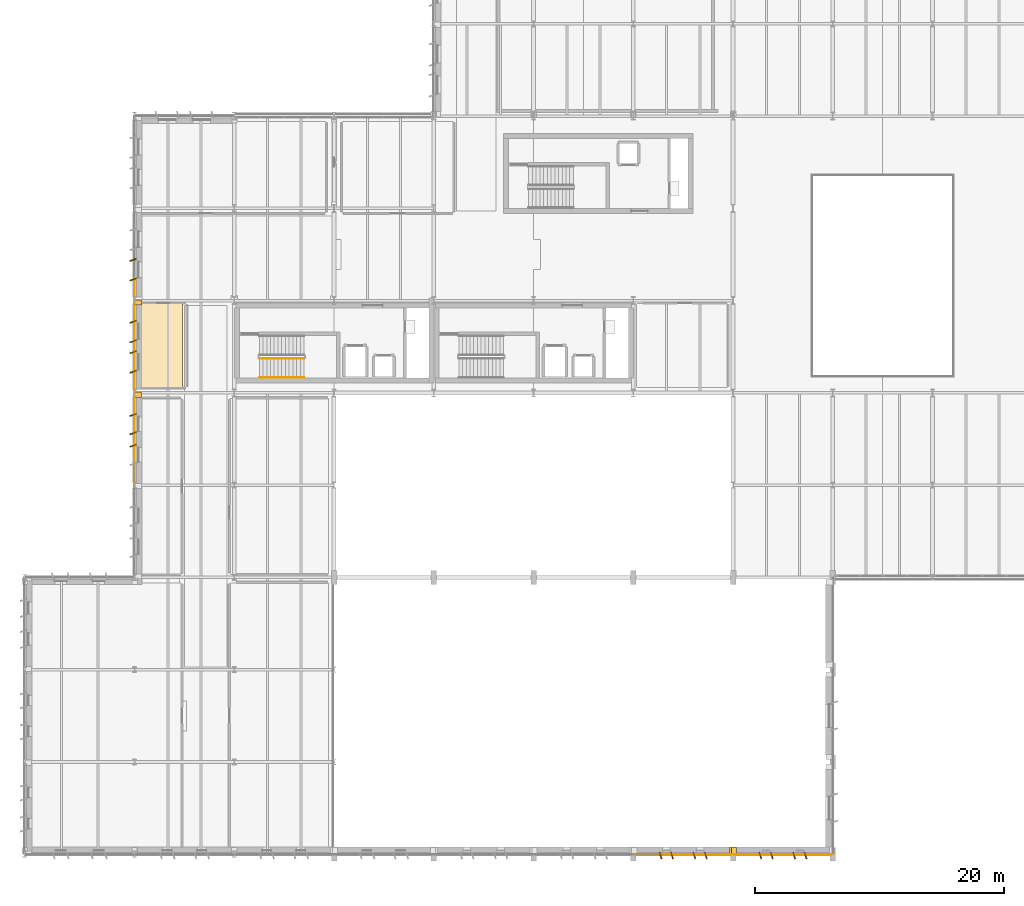
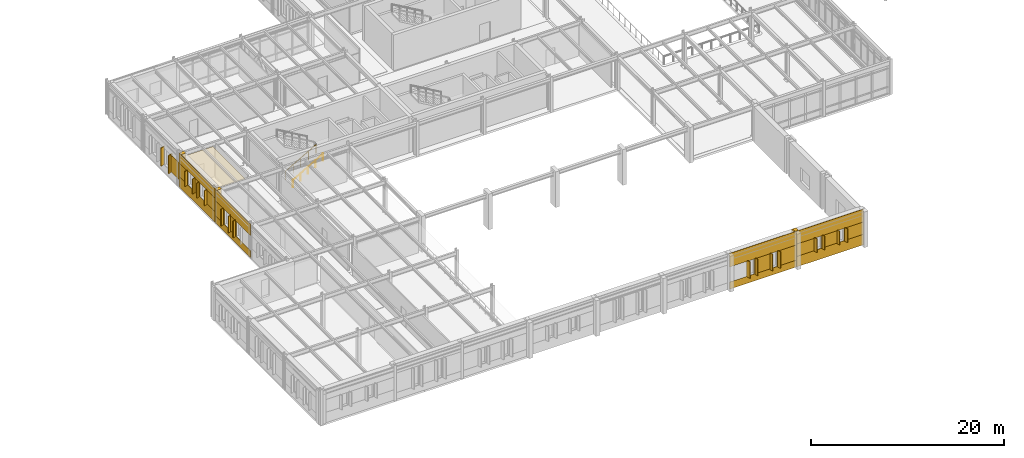
# One storey, part 56 of 75: 41 coverings, 2 railings.
"""IFC4 building model written with IfcOpenShell, lengths in metres."""

import ifcopenshell
import ifcopenshell.guid

model = None  # the IFC model being written
_history = None  # IfcOwnerHistory: only IFC2X3 demands one
_inside = {}  # id of a spatial element -> (the spatial element, [elements in it])
_under = {}  # id of a project, library or spatial element -> (it, [spatial elements below it])
_declared = {}  # id of a project -> (the project, [libraries it declares])
_typed = {}  # id of a type object -> (the type object, [elements of that type])
_made_of = {}  # id of a material, layer set ... -> (it, [elements and type objects made of it])


def new_model(schema):
    """Start an empty IFC model of exactly this schema.

    Asked for "IFC4X3", IfcOpenShell would pick the latest addendum, in which some entities
    have other attributes; the version numbers below select the first issue.
    IFC2X3 requires an IfcOwnerHistory on every rooted entity: one is made here for all.
    """
    global model, _history
    if schema == "IFC4X3":
        model = ifcopenshell.file(schema_version=(4, 3, 0, 0))
    else:
        model = ifcopenshell.file(schema=schema)
    _inside.clear()
    _under.clear()
    _declared.clear()
    _typed.clear()
    _made_of.clear()
    _history = None
    if model.schema == "IFC2X3":
        org = make("IfcOrganization", Name="unknown")
        user = make(
            "IfcPersonAndOrganization",
            ThePerson=make("IfcPerson", FamilyName="unknown"),
            TheOrganization=org,
        )
        app = make(
            "IfcApplication",
            ApplicationDeveloper=org,
            Version="unknown",
            ApplicationFullName="unknown",
            ApplicationIdentifier="unknown",
        )
        _history = make(
            "IfcOwnerHistory",
            OwningUser=user,
            OwningApplication=app,
            ChangeAction="ADDED",
            CreationDate=0,
        )
    return model


def make(cls, **values):
    """One entity of the class cls with the attributes given. An attribute that is None is left unset."""
    return model.create_entity(
        cls, **{name: value for name, value in values.items() if value is not None}
    )


def rooted(cls, **values):
    """An entity with a GlobalId (a new one), such as an element, a storey or a relation."""
    return make(cls, GlobalId=ifcopenshell.guid.new(), OwnerHistory=_history, **values)


def si_unit(unit_type, name, prefix=None):
    """IfcSIUnit, for example si_unit("LENGTHUNIT", "METRE", prefix="MILLI")."""
    return make("IfcSIUnit", UnitType=unit_type, Prefix=prefix, Name=name)


def assignment(units):
    """IfcUnitAssignment: the units of a project."""
    return None if units is None else make("IfcUnitAssignment", Units=units)


def point(xyz):
    """IfcCartesianPoint."""
    return None if xyz is None else make("IfcCartesianPoint", Coordinates=xyz)


def direction(xyz):
    """IfcDirection."""
    return None if xyz is None else make("IfcDirection", DirectionRatios=xyz)


def frame(location, z_axis=None, x_axis=None):
    """IfcAxis2Placement3D, a coordinate frame: its origin and axes. An axis left out is left unset."""
    return make(
        "IfcAxis2Placement3D",
        Location=point(location),
        Axis=direction(z_axis),
        RefDirection=direction(x_axis),
    )


def frame_2d(location, x_axis=None):
    """IfcAxis2Placement2D, a coordinate frame in the plane: its origin and x axis."""
    return make(
        "IfcAxis2Placement2D", Location=point(location), RefDirection=direction(x_axis)
    )


def origin():
    """The frame at (0, 0, 0) with its axes left unset."""
    return frame((0.0, 0.0, 0.0))


def origin_2d():
    """The frame at (0, 0) in the plane with its x axis left unset."""
    return frame_2d((0.0, 0.0))


def place(relative_to, where):
    """IfcLocalPlacement: puts the frame where relative to a parent placement (None: the world)."""
    return make(
        "IfcLocalPlacement", PlacementRelTo=relative_to, RelativePlacement=where
    )


def context(
    kind, dimensions, precision=None, world=None, true_north=None, identifier=None
):
    """IfcGeometricRepresentationContext, for example the 3D "Model" context."""
    return make(
        "IfcGeometricRepresentationContext",
        ContextIdentifier=identifier,
        ContextType=kind,
        CoordinateSpaceDimension=dimensions,
        Precision=precision,
        WorldCoordinateSystem=world,
        TrueNorth=true_north,
    )


def subcontext(parent, identifier, kind, view, scale=None):
    """IfcGeometricRepresentationSubContext, for example "Body" below "Model"."""
    return make(
        "IfcGeometricRepresentationSubContext",
        ContextIdentifier=identifier,
        ContextType=kind,
        ParentContext=parent,
        TargetScale=scale,
        TargetView=view,
    )


def project(units=None, contexts=None):
    """IfcProject with its units and contexts."""
    return rooted(
        "IfcProject",
        Name="project",
        RepresentationContexts=contexts,
        UnitsInContext=assignment(units),
    )


def spatial(cls, under=None, at=None, **own):
    """A site, building, storey or space (cls), placed at a placement, below another one or the project."""
    s = rooted(cls, ObjectPlacement=at, **own)
    if under is not None:
        _under.setdefault(under.id(), (under, []))[1].append(s)
    return s


def polyline(points):
    """IfcPolyline through the points."""
    return make("IfcPolyline", Points=[point(p) for p in points])


def profile(cls, at=None, kind="AREA", **sizes):
    """A parametric profile (cls). Its sizes go by their IFC names, for example OverallWidth=200.0."""
    return make(cls, ProfileType=kind, Position=at, **sizes)


def rectangle(**sizes):
    """IfcRectangleProfileDef."""
    return profile("IfcRectangleProfileDef", **sizes)


def circle(**sizes):
    """IfcCircleProfileDef."""
    return profile("IfcCircleProfileDef", **sizes)


def outline(outer, holes=None, kind="AREA"):
    """IfcArbitraryClosedProfileDef: a profile drawn as a closed curve; with holes, ...WithVoids."""
    if holes is None:
        return make("IfcArbitraryClosedProfileDef", ProfileType=kind, OuterCurve=outer)
    return make(
        "IfcArbitraryProfileDefWithVoids",
        ProfileType=kind,
        OuterCurve=outer,
        InnerCurves=holes,
    )


def extrude(swept, where, along, depth):
    """IfcExtrudedAreaSolid: the profile swept, set in the frame where, extruded along a direction by depth."""
    return make(
        "IfcExtrudedAreaSolid",
        SweptArea=swept,
        Position=where,
        ExtrudedDirection=direction(along),
        Depth=depth,
    )


def shape(context_of_items, identifier, shape_type, items):
    """IfcShapeRepresentation: the items that make up one representation, for example the "Body"."""
    return make(
        "IfcShapeRepresentation",
        ContextOfItems=context_of_items,
        RepresentationIdentifier=identifier,
        RepresentationType=shape_type,
        Items=items,
    )


def material(Name=None, Category=None):
    """IfcMaterial."""
    return make("IfcMaterial", Name=Name, Category=Category)


def layer(
    of_material, thickness, ventilated=None, Name=None, Category=None, Priority=None
):
    """IfcMaterialLayer: one layer of a wall or slab, of a material (None: an air gap)."""
    return make(
        "IfcMaterialLayer",
        Material=of_material,
        LayerThickness=thickness,
        IsVentilated=ventilated,
        Name=Name,
        Category=Category,
        Priority=Priority,
    )


def layer_set(layers, Name=None):
    """IfcMaterialLayerSet."""
    return make("IfcMaterialLayerSet", MaterialLayers=layers, LayerSetName=Name)


def made_of(thing, what):
    """Note that an element or type object is made of a material, layer set ...; save() writes the relation."""
    if what is not None:
        _made_of.setdefault(what.id(), (what, []))[1].append(thing)
    return thing


def type_object(cls, material=None, **own):
    """A type object (cls), such as IfcWallType, which elements share."""
    return made_of(rooted(cls, **own), material)


def element(
    cls,
    number,
    at=None,
    inside=None,
    cuts=None,
    type_object=None,
    material=None,
    context=None,
    identifier="Body",
    shape_type=None,
    held_by="IfcProductDefinitionShape",
    body=None,
    shapes=None,
    **own,
):
    """One element of the class cls, such as IfcWall. Its Tag is "e" and its number.

    at: its placement. inside: the storey or other place that contains it. cuts: it is an
    opening in that element (IfcRelVoidsElement). A single representation is given by context,
    identifier, shape_type and body (its items); several are given by shapes. held_by: the class
    of the entity that holds the representations. save() writes the other relations.
    """
    e = rooted(cls, Tag="e%d" % number, ObjectPlacement=at, **own)
    if body is not None:
        shapes = [shape(context, identifier, shape_type, body)]
    if shapes is not None:
        e.Representation = make(held_by, Representations=shapes)
    if inside is not None:
        _inside.setdefault(inside.id(), (inside, []))[1].append(e)
    if cuts is not None:
        rooted(
            "IfcRelVoidsElement", RelatingBuildingElement=cuts, RelatedOpeningElement=e
        )
    if type_object is not None:
        _typed.setdefault(type_object.id(), (type_object, []))[1].append(e)
    return made_of(e, material)


def aggregate(whole, parts):
    """IfcRelAggregates: a whole, such as a stair, and the parts it consists of."""
    return rooted("IfcRelAggregates", RelatingObject=whole, RelatedObjects=parts)


def save(model, path):
    """Write the relations noted so far, then the file.

    IfcRelAggregates (storeys below a building ...), IfcRelContainedInSpatialStructure (elements
    in a storey), IfcRelDefinesByType, IfcRelAssociatesMaterial and IfcRelDeclares: one each for
    every whole, place, type object, material and project.
    """
    for whole, parts in _under.values():
        aggregate(whole, parts)
    for where, things in _inside.values():
        rooted(
            "IfcRelContainedInSpatialStructure",
            RelatedElements=things,
            RelatingStructure=where,
        )
    for kind, things in _typed.values():
        rooted("IfcRelDefinesByType", RelatedObjects=things, RelatingType=kind)
    for what, things in _made_of.values():
        rooted("IfcRelAssociatesMaterial", RelatedObjects=things, RelatingMaterial=what)
    for by, libraries in _declared.values():
        rooted("IfcRelDeclares", RelatingContext=by, RelatedDefinitions=libraries)
    model.write(path)


model = new_model("IFC4")

# Units and contexts
model_context = context("Model", 3, precision=1e-05, world=origin(), true_north=direction((0.0, 1.0)))
body_context = subcontext(model_context, "Body", "Model", "MODEL_VIEW")
ifc_project = project(units=[si_unit("LENGTHUNIT", "METRE"), si_unit("AREAUNIT", "SQUARE_METRE"), si_unit("VOLUMEUNIT", "CUBIC_METRE"), si_unit("PLANEANGLEUNIT", "RADIAN"), si_unit("MASSUNIT", "GRAM", prefix="KILO")], contexts=[model_context])

# Site, building, storey
site_placement = place(None, origin())
site = spatial("IfcSite", under=ifc_project, at=site_placement, CompositionType="ELEMENT")
building_placement = place(site_placement, origin())
building = spatial("IfcBuilding", under=site, at=building_placement, Name="Valkorina Park Police Headquarters", CompositionType="ELEMENT")
storey_placement = place(building_placement, frame((0.0, 0.0, 5.39990234375)))
storey = spatial("IfcBuildingStorey", under=building, at=storey_placement, Name="L02", CompositionType="ELEMENT", Elevation=5.39990234375)

# Coverings
ifc_material_1 = material(Name="Acoustic mineral board")
ifc_layer_1 = layer(ifc_material_1, 0.02490234375)
ifc_layer_set_1 = layer_set([ifc_layer_1], Name="Acoustic mineral board")
covering_type_1 = type_object("IfcCoveringType", Name="COV-CEILING-ACOUST", PredefinedType="CEILING", material=ifc_layer_set_1)
covering_1_placement = place(storey_placement, frame((0.0, 0.0, 3.835205078125)))
element("IfcCovering", 1, at=covering_1_placement, inside=storey, type_object=covering_type_1, Name="L02 Male WC Acoustic Suspended Ceiling", PredefinedType="CEILING", context=body_context, shape_type="SweptSolid", body=[
    extrude(outline(polyline([(12.638427734375, 37.50439453125), (12.6396484375, 37.51220703125), (12.639892578125, 37.52001953125), (12.639892578125, 44.080078125), (12.6396484375, 44.087890625), (12.638427734375, 44.095703125), (12.63671875, 44.103271484375), (12.6337890625, 44.110595703125), (12.630615234375, 44.11767578125), (12.62646484375, 44.12451171875), (12.621826171875, 44.130859375), (12.61669921875, 44.13671875), (12.61083984375, 44.141845703125), (12.6044921875, 44.146484375), (12.59765625, 44.150634765625), (12.590576171875, 44.15380859375), (12.583251953125, 44.156494140625), (12.57568359375, 44.158447265625), (12.56787109375, 44.15966796875), (12.56005859375, 44.159912109375), (9.320068359375, 44.159912109375), (9.312255859375, 44.15966796875), (9.304443359375, 44.158447265625), (9.296875, 44.156494140625), (9.289306640625, 44.15380859375), (9.2822265625, 44.150634765625), (9.275634765625, 44.146484375), (9.269287109375, 44.141845703125), (9.263427734375, 44.13671875), (9.25830078125, 44.130859375), (9.25341796875, 44.12451171875), (9.24951171875, 44.11767578125), (9.24609375, 44.110595703125), (9.243408203125, 44.103271484375), (9.241455078125, 44.095703125), (9.240478515625, 44.087890625), (9.239990234375, 44.080078125), (9.239990234375, 37.52001953125), (9.240478515625, 37.51220703125), (9.241455078125, 37.50439453125), (9.243408203125, 37.496826171875), (9.24609375, 37.489501953125), (9.24951171875, 37.482421875), (9.25341796875, 37.4755859375), (9.25830078125, 37.46923828125), (9.263427734375, 37.46337890625), (9.269287109375, 37.458251953125), (9.275634765625, 37.45361328125), (9.2822265625, 37.449462890625), (9.289306640625, 37.446044921875), (9.296875, 37.443359375), (9.304443359375, 37.44140625), (9.312255859375, 37.4404296875), (9.320068359375, 37.43994140625), (12.56005859375, 37.43994140625), (12.56787109375, 37.4404296875), (12.57568359375, 37.44140625), (12.583251953125, 37.443359375), (12.590576171875, 37.446044921875), (12.59765625, 37.449462890625), (12.6044921875, 37.45361328125), (12.61083984375, 37.458251953125), (12.61669921875, 37.46337890625), (12.621826171875, 37.46923828125), (12.62646484375, 37.4755859375), (12.630615234375, 37.482421875), (12.6337890625, 37.489501953125), (12.63671875, 37.496826171875), (12.638427734375, 37.50439453125)])), origin(), (0.0, 0.0, 1.0), 0.02490234375),
])
ifc_material_2 = material(Name="Precast concrete C40/50", Category="concrete")
ifc_layer_2 = layer(ifc_material_2, 0.044921875)
ifc_layer_set_2 = layer_set([ifc_layer_2], Name="Precast concrete C40/50")
covering_type_2 = type_object("IfcCoveringType", Name="COV-CLAD-DOLOMITE", PredefinedType="CLADDING", material=ifc_layer_set_2)
covering_2_placement = place(storey_placement, frame((56.864990234375, 0.2900390625, 0.0), z_axis=(0.0, 0.0, 1.0), x_axis=(1.0, 0.0, 0.0)))
element("IfcCovering", 2, at=covering_2_placement, inside=storey, type_object=covering_type_2, Name="L02 Exterior Joint Closure Pilaster B 0820", PredefinedType="CLADDING", context=body_context, shape_type="SweptSolid", body=[
    extrude(rectangle(XDim=0.419921875, YDim=0.52197265625, at=origin_2d()), origin(), (0.0, 0.0, 1.0), 4.5),
])
for number, where, z_axis, x_axis, name in (
    (3, (62.615478515625, -0.1201171875, 1.22998046875), (0.0, 0.0, 1.0), (0.317304656405, -0.948323655206, 0.0), "Slanted 18.5-deg Precast Window Slot Fin 0821"),
    (4, (61.6953125, -0.1201171875, 1.22998046875), (0.0, 0.0, 1.0), (0.317304656405, -0.948323655206, 0.0), "Slanted 18.5-deg Precast Window Slot Fin 0822"),
    (5, (59.904541015625, -0.1201171875, 1.22998046875), (0.0, 0.0, 1.0), (0.317304656405, -0.948323655206, 0.0), "Slanted 18.5-deg Precast Window Slot Fin 0823"),
    (6, (58.984619140625, -0.1201171875, 1.22998046875), (0.0, 0.0, 1.0), (0.317304656405, -0.948323655206, 0.0), "Slanted 18.5-deg Precast Window Slot Fin 0824"),
):
    element("IfcCovering", number, at=place(storey_placement, frame(where, z_axis=z_axis, x_axis=x_axis)), inside=storey, type_object=covering_type_2, Name=name, PredefinedType="CLADDING", context=body_context, shape_type="SweptSolid", body=[
        extrude(rectangle(XDim=0.5400390625, YDim=0.090087890625, at=origin_2d()), origin(), (0.0, 0.0, 1.0), 1.739990234375),
    ])
covering_3_placement = place(storey_placement, frame((64.780029296875, -0.014892578125, 0.0), z_axis=(0.0, 0.0, 1.0), x_axis=(-1.0, 0.0, 0.0)))
element("IfcCovering", 7, at=covering_3_placement, inside=storey, type_object=covering_type_2, Name="L02 Calm Concrete Base Sill Spandrel 0825", PredefinedType="CLADDING", context=body_context, shape_type="SweptSolid", body=[
    extrude(rectangle(XDim=7.9599609375, YDim=0.044921875, at=frame_2d((3.97998046875, 0.0))), origin(), (0.0, 0.0, 1.0), 1.320068359375),
])
covering_4_placement = place(storey_placement, frame((64.780029296875, -0.014892578125, 2.880126953125), z_axis=(0.0, 0.0, 1.0), x_axis=(-1.0, 0.0, 0.0)))
element("IfcCovering", 8, at=covering_4_placement, inside=storey, type_object=covering_type_2, Name="L02 Calm Concrete Base Lintel Spandrel 0826", PredefinedType="CLADDING", context=body_context, shape_type="SweptSolid", body=[
    extrude(rectangle(XDim=7.9599609375, YDim=0.044921875, at=frame_2d((3.97998046875, 0.0))), origin(), (0.0, 0.0, 1.0), 1.619873046875),
])
covering_5_placement = place(storey_placement, frame((64.780029296875, -0.014892578125, 1.320068359375), z_axis=(0.0, 0.0, 1.0), x_axis=(-1.0, 0.0, 0.0)))
element("IfcCovering", 9, at=covering_5_placement, inside=storey, type_object=covering_type_2, Name="L02 Calm Concrete Base Slot Pier 0827", PredefinedType="CLADDING", context=body_context, shape_type="SweptSolid", body=[
    extrude(rectangle(XDim=2.274658203125, YDim=0.044921875, at=frame_2d((1.13720703125, 0.0))), origin(), (0.0, 0.0, 1.0), 1.56005859375),
])
covering_6_placement = place(storey_placement, frame((61.805419921875, -0.014892578125, 1.320068359375), z_axis=(0.0, 0.0, 1.0), x_axis=(-1.0, 0.0, 0.0)))
element("IfcCovering", 10, at=covering_6_placement, inside=storey, type_object=covering_type_2, Name="L02 Calm Concrete Base Slot Pier 0828", PredefinedType="CLADDING", context=body_context, shape_type="SweptSolid", body=[
    extrude(rectangle(XDim=2.0107421875, YDim=0.044921875, at=frame_2d((1.00537109375, 0.0))), origin(), (0.0, 0.0, 1.0), 1.56005859375),
])
covering_7_placement = place(storey_placement, frame((59.094482421875, -0.014892578125, 1.320068359375), z_axis=(0.0, 0.0, 1.0), x_axis=(-1.0, 0.0, 0.0)))
element("IfcCovering", 11, at=covering_7_placement, inside=storey, type_object=covering_type_2, Name="L02 Calm Concrete Base Slot Pier 0829", PredefinedType="CLADDING", context=body_context, shape_type="SweptSolid", body=[
    extrude(rectangle(XDim=2.2744140625, YDim=0.044921875, at=frame_2d((1.13720703125, 0.0))), origin(), (0.0, 0.0, 1.0), 1.56005859375),
])
covering_8_placement = place(storey_placement, frame((56.735107421875, 0.2900390625, 0.0), z_axis=(0.0, 0.0, 1.0), x_axis=(1.0, 0.0, 0.0)))
element("IfcCovering", 12, at=covering_8_placement, inside=storey, type_object=covering_type_2, Name="L02 Exterior Joint Closure Pilaster A 0830", PredefinedType="CLADDING", context=body_context, shape_type="SweptSolid", body=[
    extrude(rectangle(XDim=0.419921875, YDim=0.52197265625, at=origin_2d()), origin(), (0.0, 0.0, 1.0), 4.5),
])
for number, where, z_axis, x_axis, name in (
    (13, (54.615478515625, -0.1201171875, 0.7802734375), (0.0, 0.0, 1.0), (0.317304656405, -0.948323655206, 0.0), "Slanted 18.5-deg Precast Window Slot Fin 0832"),
    (14, (53.6953125, -0.1201171875, 0.7802734375), (0.0, 0.0, 1.0), (0.317304656405, -0.948323655206, 0.0), "Slanted 18.5-deg Precast Window Slot Fin 0833"),
    (15, (51.904541015625, -0.1201171875, 0.7802734375), (0.0, 0.0, 1.0), (0.317304656405, -0.948323655206, 0.0), "Slanted 18.5-deg Precast Window Slot Fin 0834"),
    (16, (50.984619140625, -0.1201171875, 0.7802734375), (0.0, 0.0, 1.0), (0.317304656405, -0.948323655206, 0.0), "Slanted 18.5-deg Precast Window Slot Fin 0835"),
):
    element("IfcCovering", number, at=place(storey_placement, frame(where, z_axis=z_axis, x_axis=x_axis)), inside=storey, type_object=covering_type_2, Name=name, PredefinedType="CLADDING", context=body_context, shape_type="SweptSolid", body=[
        extrude(rectangle(XDim=0.5400390625, YDim=0.090087890625, at=origin_2d()), origin(), (0.0, 0.0, 1.0), 2.090087890625),
    ])
covering_9_placement = place(storey_placement, frame((56.780029296875, -0.014892578125, 0.0), z_axis=(0.0, 0.0, 1.0), x_axis=(-1.0, 0.0, 0.0)))
element("IfcCovering", 17, at=covering_9_placement, inside=storey, type_object=covering_type_2, Name="L02 Calm Concrete Base Sill Spandrel 0836", PredefinedType="CLADDING", context=body_context, shape_type="SweptSolid", body=[
    extrude(rectangle(XDim=7.9599609375, YDim=0.044921875, at=frame_2d((3.97998046875, 0.0))), origin(), (0.0, 0.0, 1.0), 0.8701171875),
])
covering_10_placement = place(storey_placement, frame((56.780029296875, -0.014892578125, 2.780029296875), z_axis=(0.0, 0.0, 1.0), x_axis=(-1.0, 0.0, 0.0)))
element("IfcCovering", 18, at=covering_10_placement, inside=storey, type_object=covering_type_2, Name="L02 Calm Concrete Base Lintel Spandrel 0837", PredefinedType="CLADDING", context=body_context, shape_type="SweptSolid", body=[
    extrude(rectangle(XDim=7.9599609375, YDim=0.044921875, at=frame_2d((3.97998046875, 0.0))), origin(), (0.0, 0.0, 1.0), 1.719970703125),
])
covering_11_placement = place(storey_placement, frame((56.780029296875, -0.014892578125, 0.8701171875), z_axis=(0.0, 0.0, 1.0), x_axis=(-1.0, 0.0, 0.0)))
element("IfcCovering", 19, at=covering_11_placement, inside=storey, type_object=covering_type_2, Name="L02 Calm Concrete Base Slot Pier 0838", PredefinedType="CLADDING", context=body_context, shape_type="SweptSolid", body=[
    extrude(rectangle(XDim=2.274658203125, YDim=0.044921875, at=frame_2d((1.13720703125, 0.0))), origin(), (0.0, 0.0, 1.0), 1.909912109375),
])
covering_12_placement = place(storey_placement, frame((53.805419921875, -0.014892578125, 0.8701171875), z_axis=(0.0, 0.0, 1.0), x_axis=(-1.0, 0.0, 0.0)))
element("IfcCovering", 20, at=covering_12_placement, inside=storey, type_object=covering_type_2, Name="L02 Calm Concrete Base Slot Pier 0839", PredefinedType="CLADDING", context=body_context, shape_type="SweptSolid", body=[
    extrude(rectangle(XDim=2.0107421875, YDim=0.044921875, at=frame_2d((1.00537109375, 0.0))), origin(), (0.0, 0.0, 1.0), 1.909912109375),
])
covering_13_placement = place(storey_placement, frame((9.090087890625, 36.860107421875, 0.0), z_axis=(0.0, 0.0, 1.0), x_axis=(0.0, 1.0, 0.0)))
element("IfcCovering", 21, at=covering_13_placement, inside=storey, type_object=covering_type_2, Name="L02 Exterior Joint Closure Pilaster B 0960", PredefinedType="CLADDING", context=body_context, shape_type="SweptSolid", body=[
    extrude(rectangle(XDim=0.419921875, YDim=0.52197265625, at=origin_2d()), origin(), (0.0, 0.0, 1.0), 4.219970703125),
])
for number, where, z_axis, x_axis, name in (
    (22, (8.679931640625, 32.763671875, 0.7802734375), (0.0, 0.0, 1.0), (-0.948323655206, -0.317304656405, 0.0), "Slanted 18.5-deg Precast Window Slot Fin 0962"),
    (23, (8.679931640625, 33.761474609375, 0.7802734375), (0.0, 0.0, 1.0), (-0.948323655206, -0.317304656405, 0.0), "Slanted 18.5-deg Precast Window Slot Fin 0963"),
    (24, (8.679931640625, 35.2314453125, 0.7802734375), (0.0, 0.0, 1.0), (-0.948323655206, -0.317304656405, 0.0), "Slanted 18.5-deg Precast Window Slot Fin 0964"),
):
    element("IfcCovering", number, at=place(storey_placement, frame(where, z_axis=z_axis, x_axis=x_axis)), inside=storey, type_object=covering_type_2, Name=name, PredefinedType="CLADDING", context=body_context, shape_type="SweptSolid", body=[
        extrude(rectangle(XDim=0.5400390625, YDim=0.090087890625, at=origin_2d()), origin(), (0.0, 0.0, 1.0), 2.090087890625),
    ])
covering_14_placement = place(storey_placement, frame((8.784912109375, 29.6201171875, 0.0), z_axis=(0.0, 0.0, 1.0), x_axis=(0.0, 1.0, 0.0)))
element("IfcCovering", 25, at=covering_14_placement, inside=storey, type_object=covering_type_2, Name="L02 Calm Concrete Base Sill Spandrel 0965", PredefinedType="CLADDING", context=body_context, shape_type="SweptSolid", body=[
    extrude(rectangle(XDim=7.35986328125, YDim=0.044921875, at=frame_2d((3.679931640625, 0.0))), origin(), (0.0, 0.0, 1.0), 0.8701171875),
])
covering_15_placement = place(storey_placement, frame((8.784912109375, 29.6201171875, 2.780029296875), z_axis=(0.0, 0.0, 1.0), x_axis=(0.0, 1.0, 0.0)))
element("IfcCovering", 26, at=covering_15_placement, inside=storey, type_object=covering_type_2, Name="L02 Calm Concrete Base Lintel Spandrel 0966", PredefinedType="CLADDING", context=body_context, shape_type="SweptSolid", body=[
    extrude(rectangle(XDim=7.35986328125, YDim=0.044921875, at=frame_2d((3.679931640625, 0.0))), origin(), (0.0, 0.0, 1.0), 1.440185546875),
])
covering_16_placement = place(storey_placement, frame((8.784912109375, 32.653564453125, 0.8701171875), z_axis=(0.0, 0.0, 1.0), x_axis=(0.0, 1.0, 0.0)))
element("IfcCovering", 27, at=covering_16_placement, inside=storey, type_object=covering_type_2, Name="L02 Calm Concrete Base Slot Pier 0968", PredefinedType="CLADDING", context=body_context, shape_type="SweptSolid", body=[
    extrude(rectangle(XDim=1.2177734375, YDim=0.044921875, at=frame_2d((0.60888671875, 0.0))), origin(), (0.0, 0.0, 1.0), 1.909912109375),
])
covering_17_placement = place(storey_placement, frame((8.784912109375, 35.121337890625, 0.8701171875), z_axis=(0.0, 0.0, 1.0), x_axis=(0.0, 1.0, 0.0)))
element("IfcCovering", 28, at=covering_17_placement, inside=storey, type_object=covering_type_2, Name="L02 Calm Concrete Base Slot Pier 0969", PredefinedType="CLADDING", context=body_context, shape_type="SweptSolid", body=[
    extrude(rectangle(XDim=1.858642578125, YDim=0.044921875, at=frame_2d((0.92919921875, 0.0))), origin(), (0.0, 0.0, 1.0), 1.909912109375),
])
covering_18_placement = place(storey_placement, frame((9.090087890625, 44.260009765625, 0.0), z_axis=(0.0, 0.0, 1.0), x_axis=(0.0, 1.0, 0.0)))
element("IfcCovering", 29, at=covering_18_placement, inside=storey, type_object=covering_type_2, Name="L02 Exterior Joint Closure Pilaster B 0970", PredefinedType="CLADDING", context=body_context, shape_type="SweptSolid", body=[
    extrude(rectangle(XDim=0.419921875, YDim=0.52197265625, at=origin_2d()), origin(), (0.0, 0.0, 1.0), 4.239990234375),
])
for number, where, z_axis, x_axis, name in (
    (30, (8.679931640625, 38.694580078125, 1.22998046875), (0.0, 0.0, 1.0), (-0.948323655206, -0.317304656405, 0.0), "Slanted 18.5-deg Precast Window Slot Fin 0971"),
    (31, (8.679931640625, 40.2646484375, 1.22998046875), (0.0, 0.0, 1.0), (-0.948323655206, -0.317304656405, 0.0), "Slanted 18.5-deg Precast Window Slot Fin 0972"),
    (32, (8.679931640625, 41.135498046875, 1.22998046875), (0.0, 0.0, 1.0), (-0.948323655206, -0.317304656405, 0.0), "Slanted 18.5-deg Precast Window Slot Fin 0973"),
    (33, (8.679931640625, 42.705322265625, 1.22998046875), (0.0, 0.0, 1.0), (-0.948323655206, -0.317304656405, 0.0), "Slanted 18.5-deg Precast Window Slot Fin 0974"),
):
    element("IfcCovering", number, at=place(storey_placement, frame(where, z_axis=z_axis, x_axis=x_axis)), inside=storey, type_object=covering_type_2, Name=name, PredefinedType="CLADDING", context=body_context, shape_type="SweptSolid", body=[
        extrude(rectangle(XDim=0.5400390625, YDim=0.090087890625, at=origin_2d()), origin(), (0.0, 0.0, 1.0), 1.889892578125),
    ])
covering_19_placement = place(storey_placement, frame((8.784912109375, 37.02001953125, 0.0), z_axis=(0.0, 0.0, 1.0), x_axis=(0.0, 1.0, 0.0)))
element("IfcCovering", 34, at=covering_19_placement, inside=storey, type_object=covering_type_2, Name="L02 Calm Concrete Base Sill Spandrel 0975", PredefinedType="CLADDING", context=body_context, shape_type="SweptSolid", body=[
    extrude(rectangle(XDim=7.35986328125, YDim=0.044921875, at=frame_2d((3.679931640625, 0.0))), origin(), (0.0, 0.0, 1.0), 1.320068359375),
])
covering_20_placement = place(storey_placement, frame((8.784912109375, 37.02001953125, 3.030029296875), z_axis=(0.0, 0.0, 1.0), x_axis=(0.0, 1.0, 0.0)))
element("IfcCovering", 35, at=covering_20_placement, inside=storey, type_object=covering_type_2, Name="L02 Calm Concrete Base Lintel Spandrel 0976", PredefinedType="CLADDING", context=body_context, shape_type="SweptSolid", body=[
    extrude(rectangle(XDim=7.35986328125, YDim=0.044921875, at=frame_2d((3.679931640625, 0.0))), origin(), (0.0, 0.0, 1.0), 1.2099609375),
])
covering_21_placement = place(storey_placement, frame((8.784912109375, 37.02001953125, 1.320068359375), z_axis=(0.0, 0.0, 1.0), x_axis=(0.0, 1.0, 0.0)))
element("IfcCovering", 36, at=covering_21_placement, inside=storey, type_object=covering_type_2, Name="L02 Calm Concrete Base Slot Pier 0977", PredefinedType="CLADDING", context=body_context, shape_type="SweptSolid", body=[
    extrude(rectangle(XDim=1.78466796875, YDim=0.044921875, at=frame_2d((0.892333984375, 0.0))), origin(), (0.0, 0.0, 1.0), 1.7099609375),
])
covering_22_placement = place(storey_placement, frame((8.784912109375, 40.154541015625, 1.320068359375), z_axis=(0.0, 0.0, 1.0), x_axis=(0.0, 1.0, 0.0)))
element("IfcCovering", 37, at=covering_22_placement, inside=storey, type_object=covering_type_2, Name="L02 Calm Concrete Base Slot Pier 0978", PredefinedType="CLADDING", context=body_context, shape_type="SweptSolid", body=[
    extrude(rectangle(XDim=1.0908203125, YDim=0.044921875, at=frame_2d((0.54541015625, 0.0))), origin(), (0.0, 0.0, 1.0), 1.7099609375),
])
covering_23_placement = place(storey_placement, frame((8.784912109375, 42.595458984375, 1.320068359375), z_axis=(0.0, 0.0, 1.0), x_axis=(0.0, 1.0, 0.0)))
element("IfcCovering", 38, at=covering_23_placement, inside=storey, type_object=covering_type_2, Name="L02 Calm Concrete Base Slot Pier 0979", PredefinedType="CLADDING", context=body_context, shape_type="SweptSolid", body=[
    extrude(rectangle(XDim=1.784423828125, YDim=0.044921875, at=frame_2d((0.89208984375, 0.0))), origin(), (0.0, 0.0, 1.0), 1.7099609375),
])
for number, where, z_axis, x_axis, name in (
    (39, (8.679931640625, 46.094482421875, 0.780029296875), (0.0, 0.0, 1.0), (-0.948323655206, -0.317304656405, 0.0), "Slanted 18.5-deg Precast Window Slot Fin 0981"),
    (40, (8.679931640625, 47.66455078125, 0.780029296875), (0.0, 0.0, 1.0), (-0.948323655206, -0.317304656405, 0.0), "Slanted 18.5-deg Precast Window Slot Fin 0982"),
):
    element("IfcCovering", number, at=place(storey_placement, frame(where, z_axis=z_axis, x_axis=x_axis)), inside=storey, type_object=covering_type_2, Name=name, PredefinedType="CLADDING", context=body_context, shape_type="SweptSolid", body=[
        extrude(rectangle(XDim=0.5400390625, YDim=0.090087890625, at=origin_2d()), origin(), (0.0, 0.0, 1.0), 2.2900390625),
    ])
covering_24_placement = place(storey_placement, frame((8.784912109375, 44.419921875, 0.8701171875), z_axis=(0.0, 0.0, 1.0), x_axis=(0.0, 1.0, 0.0)))
element("IfcCovering", 41, at=covering_24_placement, inside=storey, type_object=covering_type_2, Name="L02 Calm Concrete Base Slot Pier 0987", PredefinedType="CLADDING", context=body_context, shape_type="SweptSolid", body=[
    extrude(rectangle(XDim=1.78466796875, YDim=0.044921875, at=frame_2d((0.892333984375, 0.0))), origin(), (0.0, 0.0, 1.0), 2.10986328125),
])

# Railings
ifc_material_3 = material(Name="Stainless steel EN 1.4404", Category="steel")
railing_type_1 = type_object("IfcRailingType", Name="RL-GUARD-INT-1100", PredefinedType="BALUSTRADE", material=ifc_material_3)
railing_1_placement = place(storey_placement, frame((18.800048828125, 39.75, 0.173095703125)))
element("IfcRailing", 42, at=railing_1_placement, inside=storey, type_object=railing_type_1, Name="L02 Core C1 Stair Guard 1", PredefinedType="BALUSTRADE", context=body_context, shape_type="SweptSolid", body=[
    extrude(circle(Radius=0.02392578125, at=origin_2d()), frame((0.0, 0.0, 1.09619140625), z_axis=(0.866178740119, 0.0, 0.499734319579), x_axis=(0.0, 1.0, 0.0)), (0.0, 0.0, 1.0), 4.156005859375),
    extrude(circle(Radius=0.02099609375, at=origin_2d()), origin(), (0.0, 0.0, 1.0), 1.072021484375),
    extrude(circle(Radius=0.02099609375, at=origin_2d()), frame((0.89990234375, 0.0, 0.519287109375)), (0.0, 0.0, 1.0), 1.072021484375),
    extrude(circle(Radius=0.02099609375, at=origin_2d()), frame((1.7998046875, 0.0, 1.03857421875)), (0.0, 0.0, 1.0), 1.072021484375),
    extrude(circle(Radius=0.02099609375, at=origin_2d()), frame((2.699951171875, 0.0, 1.5576171875)), (0.0, 0.0, 1.0), 1.072021484375),
    extrude(circle(Radius=0.02099609375, at=origin_2d()), frame((3.599853515625, 0.0, 2.076904296875)), (0.0, 0.0, 1.0), 1.072021484375),
])
railing_type_2 = type_object("IfcRailingType", Name="RL-HANDRAIL-900", PredefinedType="HANDRAIL", material=ifc_material_3)
railing_2_placement = place(storey_placement, frame((18.800048828125, 38.25, 0.173095703125)))
element("IfcRailing", 43, at=railing_2_placement, inside=storey, type_object=railing_type_2, Name="L02 Core C1 Stair Handrail 1", PredefinedType="HANDRAIL", context=body_context, shape_type="SweptSolid", body=[
    extrude(circle(Radius=0.02392578125, at=origin_2d()), frame((0.0, 0.0, 0.8759765625), z_axis=(0.866178740119, 0.0, 0.499734319579), x_axis=(0.0, 1.0, 0.0)), (0.0, 0.0, 1.0), 4.156005859375),
    extrude(circle(Radius=0.02099609375, at=origin_2d()), origin(), (0.0, 0.0, 1.0), 0.851806640625),
    extrude(circle(Radius=0.02099609375, at=origin_2d()), frame((0.89990234375, 0.0, 0.519287109375)), (0.0, 0.0, 1.0), 0.851806640625),
    extrude(circle(Radius=0.02099609375, at=origin_2d()), frame((1.7998046875, 0.0, 1.03857421875)), (0.0, 0.0, 1.0), 0.851806640625),
    extrude(circle(Radius=0.02099609375, at=origin_2d()), frame((2.699951171875, 0.0, 1.5576171875)), (0.0, 0.0, 1.0), 0.851806640625),
    extrude(circle(Radius=0.02099609375, at=origin_2d()), frame((3.599853515625, 0.0, 2.076904296875)), (0.0, 0.0, 1.0), 0.851806640625),
])

save(model, "model.ifc")
